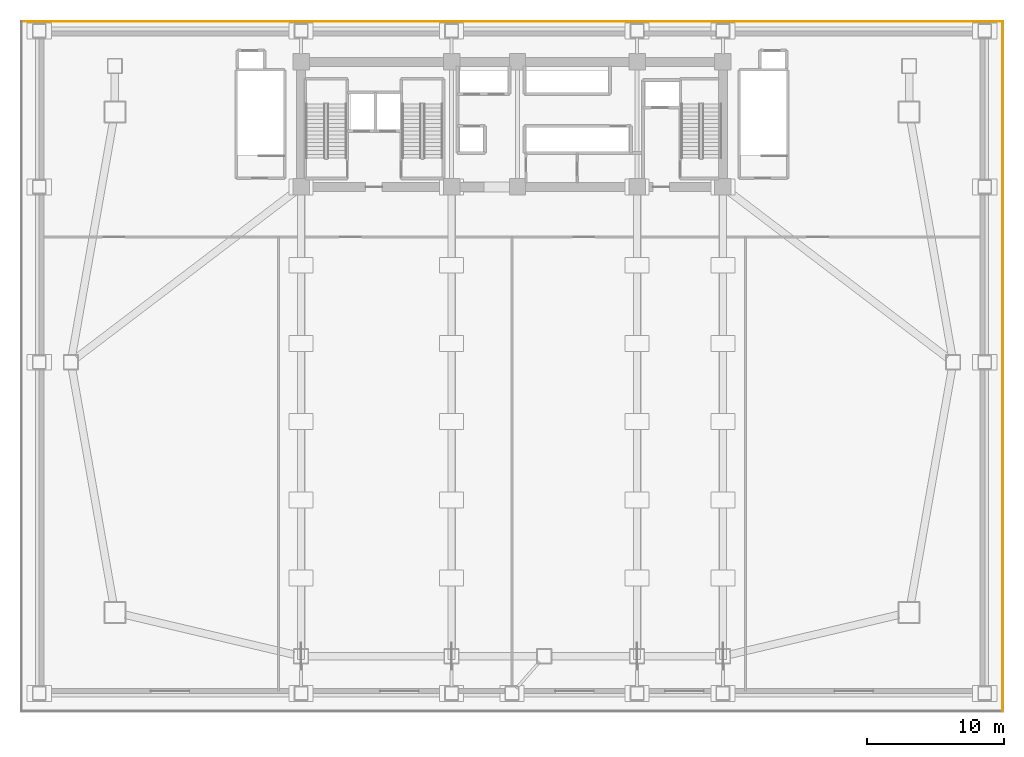
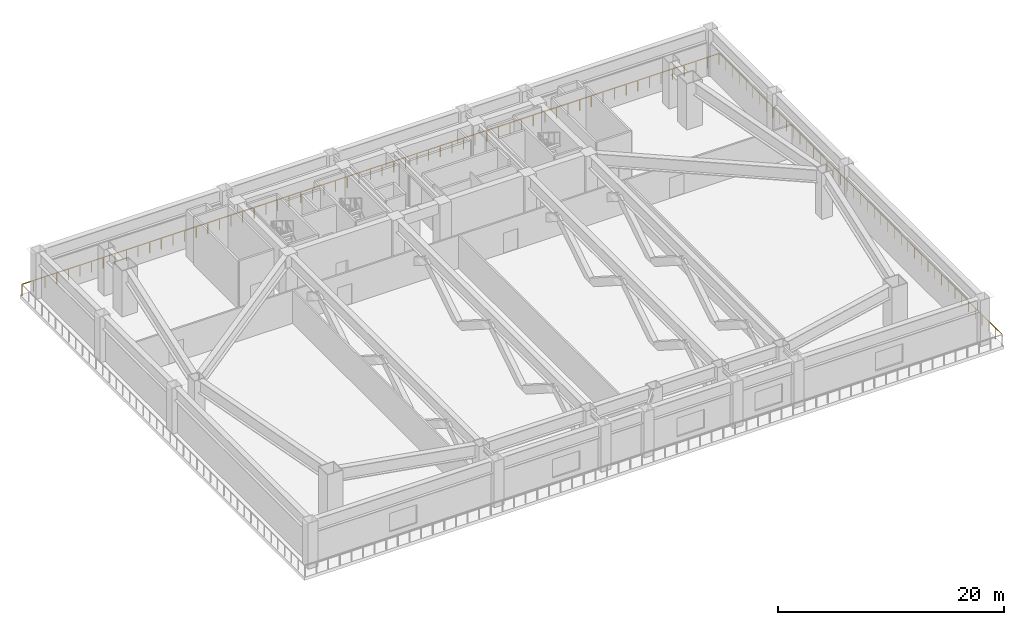
# One storey, part 8 of 8: 2 railings.
"""IFC4 building model written with IfcOpenShell, lengths in metres."""

from ifc_helpers import new_model, si_unit, direction, frame, origin, origin_2d, place, context, subcontext, project, spatial, rectangle, extrude, material, type_object, element, save


model = new_model("IFC4")

# Units and contexts
model_context = context("Model", 3, precision=1e-05, world=origin(), true_north=direction((0.0, 1.0)))
body_context = subcontext(model_context, "Body", "Model", "MODEL_VIEW")
ifc_project = project(units=[si_unit("LENGTHUNIT", "METRE"), si_unit("AREAUNIT", "SQUARE_METRE"), si_unit("VOLUMEUNIT", "CUBIC_METRE"), si_unit("PLANEANGLEUNIT", "RADIAN"), si_unit("MASSUNIT", "GRAM", prefix="KILO")], contexts=[model_context])

# Site, building, storey
site_placement = place(None, origin())
site = spatial("IfcSite", under=ifc_project, at=site_placement, CompositionType="ELEMENT")
building_placement = place(site_placement, origin())
building = spatial("IfcBuilding", under=site, at=building_placement, Name="Giltprow Tower", CompositionType="ELEMENT")
storey_placement = place(building_placement, frame((0.0, 0.0, 20.199951171875)))
storey = spatial("IfcBuildingStorey", under=building, at=storey_placement, Name="L05", CompositionType="ELEMENT", Elevation=20.199951171875)

# Railings
ifc_material = material(Name="Anodized bronze", Category="metal")
railing_type = type_object("IfcRailingType", Name="RAIL-BALC-GUARD-1200", PredefinedType="BALUSTRADE", material=ifc_material)
railing_1_placement = place(storey_placement, frame((70.8798828125, -0.679931640625, 0.0)))
element("IfcRailing", 1, at=railing_1_placement, inside=storey, type_object=railing_type, Name="L05 Podium Perimeter Cornice Balustrade Seg 2", PredefinedType="BALUSTRADE", context=body_context, shape_type="SweptSolid", body=[
    extrude(rectangle(XDim=0.048095703125, YDim=0.048095703125, at=origin_2d()), frame((0.0, 0.0, 1.17578125), z_axis=(0.0, 1.0, 0.0), x_axis=(-1.0, 0.0, 0.0)), (0.0, 0.0, 1.0), 50.159912109375),
    extrude(rectangle(XDim=0.0419921875, YDim=0.0419921875, at=origin_2d()), origin(), (0.0, 0.0, 1.0), 1.15185546875),
    extrude(rectangle(XDim=0.0419921875, YDim=0.0419921875, at=origin_2d()), frame((0.0, 1.1943359375, 0.0)), (0.0, 0.0, 1.0), 1.15185546875),
    extrude(rectangle(XDim=0.0419921875, YDim=0.0419921875, at=origin_2d()), frame((0.0, 2.388671875, 0.0)), (0.0, 0.0, 1.0), 1.15185546875),
    extrude(rectangle(XDim=0.0419921875, YDim=0.0419921875, at=origin_2d()), frame((0.0, 3.582763671875, 0.0)), (0.0, 0.0, 1.0), 1.15185546875),
    extrude(rectangle(XDim=0.0419921875, YDim=0.0419921875, at=origin_2d()), frame((0.0, 4.777099609375, 0.0)), (0.0, 0.0, 1.0), 1.15185546875),
    extrude(rectangle(XDim=0.0419921875, YDim=0.0419921875, at=origin_2d()), frame((0.0, 5.971435546875, 0.0)), (0.0, 0.0, 1.0), 1.15185546875),
    extrude(rectangle(XDim=0.0419921875, YDim=0.0419921875, at=origin_2d()), frame((0.0, 7.165771484375, 0.0)), (0.0, 0.0, 1.0), 1.15185546875),
    extrude(rectangle(XDim=0.0419921875, YDim=0.0419921875, at=origin_2d()), frame((0.0, 8.35986328125, 0.0)), (0.0, 0.0, 1.0), 1.15185546875),
    extrude(rectangle(XDim=0.0419921875, YDim=0.0419921875, at=origin_2d()), frame((0.0, 9.55419921875, 0.0)), (0.0, 0.0, 1.0), 1.15185546875),
    extrude(rectangle(XDim=0.0419921875, YDim=0.0419921875, at=origin_2d()), frame((0.0, 10.74853515625, 0.0)), (0.0, 0.0, 1.0), 1.15185546875),
    extrude(rectangle(XDim=0.0419921875, YDim=0.0419921875, at=origin_2d()), frame((0.0, 11.94287109375, 0.0)), (0.0, 0.0, 1.0), 1.15185546875),
    extrude(rectangle(XDim=0.0419921875, YDim=0.0419921875, at=origin_2d()), frame((0.0, 13.13720703125, 0.0)), (0.0, 0.0, 1.0), 1.15185546875),
    extrude(rectangle(XDim=0.0419921875, YDim=0.0419921875, at=origin_2d()), frame((0.0, 14.331298828125, 0.0)), (0.0, 0.0, 1.0), 1.15185546875),
    extrude(rectangle(XDim=0.0419921875, YDim=0.0419921875, at=origin_2d()), frame((0.0, 15.525634765625, 0.0)), (0.0, 0.0, 1.0), 1.15185546875),
    extrude(rectangle(XDim=0.0419921875, YDim=0.0419921875, at=origin_2d()), frame((0.0, 16.719970703125, 0.0)), (0.0, 0.0, 1.0), 1.15185546875),
    extrude(rectangle(XDim=0.0419921875, YDim=0.0419921875, at=origin_2d()), frame((0.0, 17.914306640625, 0.0)), (0.0, 0.0, 1.0), 1.15185546875),
    extrude(rectangle(XDim=0.0419921875, YDim=0.0419921875, at=origin_2d()), frame((0.0, 19.108642578125, 0.0)), (0.0, 0.0, 1.0), 1.15185546875),
    extrude(rectangle(XDim=0.0419921875, YDim=0.0419921875, at=origin_2d()), frame((0.0, 20.302734375, 0.0)), (0.0, 0.0, 1.0), 1.15185546875),
    extrude(rectangle(XDim=0.0419921875, YDim=0.0419921875, at=origin_2d()), frame((0.0, 21.4970703125, 0.0)), (0.0, 0.0, 1.0), 1.15185546875),
    extrude(rectangle(XDim=0.0419921875, YDim=0.0419921875, at=origin_2d()), frame((0.0, 22.69140625, 0.0)), (0.0, 0.0, 1.0), 1.15185546875),
    extrude(rectangle(XDim=0.0419921875, YDim=0.0419921875, at=origin_2d()), frame((0.0, 23.8857421875, 0.0)), (0.0, 0.0, 1.0), 1.15185546875),
    extrude(rectangle(XDim=0.0419921875, YDim=0.0419921875, at=origin_2d()), frame((0.0, 25.080078125, 0.0)), (0.0, 0.0, 1.0), 1.15185546875),
    extrude(rectangle(XDim=0.0419921875, YDim=0.0419921875, at=origin_2d()), frame((0.0, 26.274169921875, 0.0)), (0.0, 0.0, 1.0), 1.15185546875),
    extrude(rectangle(XDim=0.0419921875, YDim=0.0419921875, at=origin_2d()), frame((0.0, 27.468505859375, 0.0)), (0.0, 0.0, 1.0), 1.15185546875),
    extrude(rectangle(XDim=0.0419921875, YDim=0.0419921875, at=origin_2d()), frame((0.0, 28.662841796875, 0.0)), (0.0, 0.0, 1.0), 1.15185546875),
    extrude(rectangle(XDim=0.0419921875, YDim=0.0419921875, at=origin_2d()), frame((0.0, 29.857177734375, 0.0)), (0.0, 0.0, 1.0), 1.15185546875),
    extrude(rectangle(XDim=0.0419921875, YDim=0.0419921875, at=origin_2d()), frame((0.0, 31.05126953125, 0.0)), (0.0, 0.0, 1.0), 1.15185546875),
    extrude(rectangle(XDim=0.0419921875, YDim=0.0419921875, at=origin_2d()), frame((0.0, 32.24560546875, 0.0)), (0.0, 0.0, 1.0), 1.15185546875),
    extrude(rectangle(XDim=0.0419921875, YDim=0.0419921875, at=origin_2d()), frame((0.0, 33.43994140625, 0.0)), (0.0, 0.0, 1.0), 1.15185546875),
    extrude(rectangle(XDim=0.0419921875, YDim=0.0419921875, at=origin_2d()), frame((0.0, 34.63427734375, 0.0)), (0.0, 0.0, 1.0), 1.15185546875),
    extrude(rectangle(XDim=0.0419921875, YDim=0.0419921875, at=origin_2d()), frame((0.0, 35.82861328125, 0.0)), (0.0, 0.0, 1.0), 1.15185546875),
    extrude(rectangle(XDim=0.0419921875, YDim=0.0419921875, at=origin_2d()), frame((0.0, 37.022705078125, 0.0)), (0.0, 0.0, 1.0), 1.15185546875),
    extrude(rectangle(XDim=0.0419921875, YDim=0.0419921875, at=origin_2d()), frame((0.0, 38.217041015625, 0.0)), (0.0, 0.0, 1.0), 1.15185546875),
    extrude(rectangle(XDim=0.0419921875, YDim=0.0419921875, at=origin_2d()), frame((0.0, 39.411376953125, 0.0)), (0.0, 0.0, 1.0), 1.15185546875),
    extrude(rectangle(XDim=0.0419921875, YDim=0.0419921875, at=origin_2d()), frame((0.0, 40.605712890625, 0.0)), (0.0, 0.0, 1.0), 1.15185546875),
    extrude(rectangle(XDim=0.0419921875, YDim=0.0419921875, at=origin_2d()), frame((0.0, 41.7998046875, 0.0)), (0.0, 0.0, 1.0), 1.15185546875),
    extrude(rectangle(XDim=0.0419921875, YDim=0.0419921875, at=origin_2d()), frame((0.0, 42.994140625, 0.0)), (0.0, 0.0, 1.0), 1.15185546875),
    extrude(rectangle(XDim=0.0419921875, YDim=0.0419921875, at=origin_2d()), frame((0.0, 44.1884765625, 0.0)), (0.0, 0.0, 1.0), 1.15185546875),
    extrude(rectangle(XDim=0.0419921875, YDim=0.0419921875, at=origin_2d()), frame((0.0, 45.3828125, 0.0)), (0.0, 0.0, 1.0), 1.15185546875),
    extrude(rectangle(XDim=0.0419921875, YDim=0.0419921875, at=origin_2d()), frame((0.0, 46.5771484375, 0.0)), (0.0, 0.0, 1.0), 1.15185546875),
    extrude(rectangle(XDim=0.0419921875, YDim=0.0419921875, at=origin_2d()), frame((0.0, 47.771240234375, 0.0)), (0.0, 0.0, 1.0), 1.15185546875),
    extrude(rectangle(XDim=0.0419921875, YDim=0.0419921875, at=origin_2d()), frame((0.0, 48.965576171875, 0.0)), (0.0, 0.0, 1.0), 1.15185546875),
    extrude(rectangle(XDim=0.0419921875, YDim=0.0419921875, at=origin_2d()), frame((0.0, 50.159912109375, 0.0)), (0.0, 0.0, 1.0), 1.15185546875),
])
railing_2_placement = place(storey_placement, frame((70.8798828125, 49.47998046875, 0.0)))
element("IfcRailing", 2, at=railing_2_placement, inside=storey, type_object=railing_type, Name="L05 Podium Perimeter Cornice Balustrade Seg 3", PredefinedType="BALUSTRADE", context=body_context, shape_type="SweptSolid", body=[
    extrude(rectangle(XDim=0.048095703125, YDim=0.048095703125, at=origin_2d()), frame((0.0, 0.0, 1.17578125), z_axis=(-1.0, 0.0, 0.0), x_axis=(0.0, -1.0, 0.0)), (0.0, 0.0, 1.0), 71.35986328125),
    extrude(rectangle(XDim=0.0419921875, YDim=0.0419921875, at=origin_2d()), origin(), (0.0, 0.0, 1.0), 1.15185546875),
    extrude(rectangle(XDim=0.0419921875, YDim=0.0419921875, at=origin_2d()), frame((-1.189453125, 0.0, 0.0)), (0.0, 0.0, 1.0), 1.15185546875),
    extrude(rectangle(XDim=0.0419921875, YDim=0.0419921875, at=origin_2d()), frame((-2.378662109375, 0.0, 0.0)), (0.0, 0.0, 1.0), 1.15185546875),
    extrude(rectangle(XDim=0.0419921875, YDim=0.0419921875, at=origin_2d()), frame((-3.56787109375, 0.0, 0.0)), (0.0, 0.0, 1.0), 1.15185546875),
    extrude(rectangle(XDim=0.0419921875, YDim=0.0419921875, at=origin_2d()), frame((-4.75732421875, 0.0, 0.0)), (0.0, 0.0, 1.0), 1.15185546875),
    extrude(rectangle(XDim=0.0419921875, YDim=0.0419921875, at=origin_2d()), frame((-5.94677734375, 0.0, 0.0)), (0.0, 0.0, 1.0), 1.15185546875),
    extrude(rectangle(XDim=0.0419921875, YDim=0.0419921875, at=origin_2d()), frame((-7.135986328125, 0.0, 0.0)), (0.0, 0.0, 1.0), 1.15185546875),
    extrude(rectangle(XDim=0.0419921875, YDim=0.0419921875, at=origin_2d()), frame((-8.3251953125, 0.0, 0.0)), (0.0, 0.0, 1.0), 1.15185546875),
    extrude(rectangle(XDim=0.0419921875, YDim=0.0419921875, at=origin_2d()), frame((-9.5146484375, 0.0, 0.0)), (0.0, 0.0, 1.0), 1.15185546875),
    extrude(rectangle(XDim=0.0419921875, YDim=0.0419921875, at=origin_2d()), frame((-10.7041015625, 0.0, 0.0)), (0.0, 0.0, 1.0), 1.15185546875),
    extrude(rectangle(XDim=0.0419921875, YDim=0.0419921875, at=origin_2d()), frame((-11.893310546875, 0.0, 0.0)), (0.0, 0.0, 1.0), 1.15185546875),
    extrude(rectangle(XDim=0.0419921875, YDim=0.0419921875, at=origin_2d()), frame((-13.08251953125, 0.0, 0.0)), (0.0, 0.0, 1.0), 1.15185546875),
    extrude(rectangle(XDim=0.0419921875, YDim=0.0419921875, at=origin_2d()), frame((-14.27197265625, 0.0, 0.0)), (0.0, 0.0, 1.0), 1.15185546875),
    extrude(rectangle(XDim=0.0419921875, YDim=0.0419921875, at=origin_2d()), frame((-15.46142578125, 0.0, 0.0)), (0.0, 0.0, 1.0), 1.15185546875),
    extrude(rectangle(XDim=0.0419921875, YDim=0.0419921875, at=origin_2d()), frame((-16.650634765625, 0.0, 0.0)), (0.0, 0.0, 1.0), 1.15185546875),
    extrude(rectangle(XDim=0.0419921875, YDim=0.0419921875, at=origin_2d()), frame((-17.83984375, 0.0, 0.0)), (0.0, 0.0, 1.0), 1.15185546875),
    extrude(rectangle(XDim=0.0419921875, YDim=0.0419921875, at=origin_2d()), frame((-19.029296875, 0.0, 0.0)), (0.0, 0.0, 1.0), 1.15185546875),
    extrude(rectangle(XDim=0.0419921875, YDim=0.0419921875, at=origin_2d()), frame((-20.21875, 0.0, 0.0)), (0.0, 0.0, 1.0), 1.15185546875),
    extrude(rectangle(XDim=0.0419921875, YDim=0.0419921875, at=origin_2d()), frame((-21.407958984375, 0.0, 0.0)), (0.0, 0.0, 1.0), 1.15185546875),
    extrude(rectangle(XDim=0.0419921875, YDim=0.0419921875, at=origin_2d()), frame((-22.59716796875, 0.0, 0.0)), (0.0, 0.0, 1.0), 1.15185546875),
    extrude(rectangle(XDim=0.0419921875, YDim=0.0419921875, at=origin_2d()), frame((-23.78662109375, 0.0, 0.0)), (0.0, 0.0, 1.0), 1.15185546875),
    extrude(rectangle(XDim=0.0419921875, YDim=0.0419921875, at=origin_2d()), frame((-24.97607421875, 0.0, 0.0)), (0.0, 0.0, 1.0), 1.15185546875),
    extrude(rectangle(XDim=0.0419921875, YDim=0.0419921875, at=origin_2d()), frame((-26.165283203125, 0.0, 0.0)), (0.0, 0.0, 1.0), 1.15185546875),
    extrude(rectangle(XDim=0.0419921875, YDim=0.0419921875, at=origin_2d()), frame((-27.354736328125, 0.0, 0.0)), (0.0, 0.0, 1.0), 1.15185546875),
    extrude(rectangle(XDim=0.0419921875, YDim=0.0419921875, at=origin_2d()), frame((-28.5439453125, 0.0, 0.0)), (0.0, 0.0, 1.0), 1.15185546875),
    extrude(rectangle(XDim=0.0419921875, YDim=0.0419921875, at=origin_2d()), frame((-29.7333984375, 0.0, 0.0)), (0.0, 0.0, 1.0), 1.15185546875),
    extrude(rectangle(XDim=0.0419921875, YDim=0.0419921875, at=origin_2d()), frame((-30.922607421875, 0.0, 0.0)), (0.0, 0.0, 1.0), 1.15185546875),
    extrude(rectangle(XDim=0.0419921875, YDim=0.0419921875, at=origin_2d()), frame((-32.11181640625, 0.0, 0.0)), (0.0, 0.0, 1.0), 1.15185546875),
    extrude(rectangle(XDim=0.0419921875, YDim=0.0419921875, at=origin_2d()), frame((-33.30126953125, 0.0, 0.0)), (0.0, 0.0, 1.0), 1.15185546875),
    extrude(rectangle(XDim=0.0419921875, YDim=0.0419921875, at=origin_2d()), frame((-34.49072265625, 0.0, 0.0)), (0.0, 0.0, 1.0), 1.15185546875),
    extrude(rectangle(XDim=0.0419921875, YDim=0.0419921875, at=origin_2d()), frame((-35.679931640625, 0.0, 0.0)), (0.0, 0.0, 1.0), 1.15185546875),
    extrude(rectangle(XDim=0.0419921875, YDim=0.0419921875, at=origin_2d()), frame((-36.869384765625, 0.0, 0.0)), (0.0, 0.0, 1.0), 1.15185546875),
    extrude(rectangle(XDim=0.0419921875, YDim=0.0419921875, at=origin_2d()), frame((-38.05859375, 0.0, 0.0)), (0.0, 0.0, 1.0), 1.15185546875),
    extrude(rectangle(XDim=0.0419921875, YDim=0.0419921875, at=origin_2d()), frame((-39.248046875, 0.0, 0.0)), (0.0, 0.0, 1.0), 1.15185546875),
    extrude(rectangle(XDim=0.0419921875, YDim=0.0419921875, at=origin_2d()), frame((-40.437255859375, 0.0, 0.0)), (0.0, 0.0, 1.0), 1.15185546875),
    extrude(rectangle(XDim=0.0419921875, YDim=0.0419921875, at=origin_2d()), frame((-41.62646484375, 0.0, 0.0)), (0.0, 0.0, 1.0), 1.15185546875),
    extrude(rectangle(XDim=0.0419921875, YDim=0.0419921875, at=origin_2d()), frame((-42.81591796875, 0.0, 0.0)), (0.0, 0.0, 1.0), 1.15185546875),
    extrude(rectangle(XDim=0.0419921875, YDim=0.0419921875, at=origin_2d()), frame((-44.00537109375, 0.0, 0.0)), (0.0, 0.0, 1.0), 1.15185546875),
    extrude(rectangle(XDim=0.0419921875, YDim=0.0419921875, at=origin_2d()), frame((-45.194580078125, 0.0, 0.0)), (0.0, 0.0, 1.0), 1.15185546875),
    extrude(rectangle(XDim=0.0419921875, YDim=0.0419921875, at=origin_2d()), frame((-46.3837890625, 0.0, 0.0)), (0.0, 0.0, 1.0), 1.15185546875),
    extrude(rectangle(XDim=0.0419921875, YDim=0.0419921875, at=origin_2d()), frame((-47.5732421875, 0.0, 0.0)), (0.0, 0.0, 1.0), 1.15185546875),
    extrude(rectangle(XDim=0.0419921875, YDim=0.0419921875, at=origin_2d()), frame((-48.7626953125, 0.0, 0.0)), (0.0, 0.0, 1.0), 1.15185546875),
    extrude(rectangle(XDim=0.0419921875, YDim=0.0419921875, at=origin_2d()), frame((-49.951904296875, 0.0, 0.0)), (0.0, 0.0, 1.0), 1.15185546875),
    extrude(rectangle(XDim=0.0419921875, YDim=0.0419921875, at=origin_2d()), frame((-51.14111328125, 0.0, 0.0)), (0.0, 0.0, 1.0), 1.15185546875),
    extrude(rectangle(XDim=0.0419921875, YDim=0.0419921875, at=origin_2d()), frame((-52.33056640625, 0.0, 0.0)), (0.0, 0.0, 1.0), 1.15185546875),
    extrude(rectangle(XDim=0.0419921875, YDim=0.0419921875, at=origin_2d()), frame((-53.52001953125, 0.0, 0.0)), (0.0, 0.0, 1.0), 1.15185546875),
    extrude(rectangle(XDim=0.0419921875, YDim=0.0419921875, at=origin_2d()), frame((-54.709228515625, 0.0, 0.0)), (0.0, 0.0, 1.0), 1.15185546875),
    extrude(rectangle(XDim=0.0419921875, YDim=0.0419921875, at=origin_2d()), frame((-55.8984375, 0.0, 0.0)), (0.0, 0.0, 1.0), 1.15185546875),
    extrude(rectangle(XDim=0.0419921875, YDim=0.0419921875, at=origin_2d()), frame((-57.087890625, 0.0, 0.0)), (0.0, 0.0, 1.0), 1.15185546875),
    extrude(rectangle(XDim=0.0419921875, YDim=0.0419921875, at=origin_2d()), frame((-58.27734375, 0.0, 0.0)), (0.0, 0.0, 1.0), 1.15185546875),
    extrude(rectangle(XDim=0.0419921875, YDim=0.0419921875, at=origin_2d()), frame((-59.466552734375, 0.0, 0.0)), (0.0, 0.0, 1.0), 1.15185546875),
    extrude(rectangle(XDim=0.0419921875, YDim=0.0419921875, at=origin_2d()), frame((-60.65576171875, 0.0, 0.0)), (0.0, 0.0, 1.0), 1.15185546875),
    extrude(rectangle(XDim=0.0419921875, YDim=0.0419921875, at=origin_2d()), frame((-61.84521484375, 0.0, 0.0)), (0.0, 0.0, 1.0), 1.15185546875),
    extrude(rectangle(XDim=0.0419921875, YDim=0.0419921875, at=origin_2d()), frame((-63.03466796875, 0.0, 0.0)), (0.0, 0.0, 1.0), 1.15185546875),
    extrude(rectangle(XDim=0.0419921875, YDim=0.0419921875, at=origin_2d()), frame((-64.223876953125, 0.0, 0.0)), (0.0, 0.0, 1.0), 1.15185546875),
    extrude(rectangle(XDim=0.0419921875, YDim=0.0419921875, at=origin_2d()), frame((-65.4130859375, 0.0, 0.0)), (0.0, 0.0, 1.0), 1.15185546875),
    extrude(rectangle(XDim=0.0419921875, YDim=0.0419921875, at=origin_2d()), frame((-66.6025390625, 0.0, 0.0)), (0.0, 0.0, 1.0), 1.15185546875),
    extrude(rectangle(XDim=0.0419921875, YDim=0.0419921875, at=origin_2d()), frame((-67.7919921875, 0.0, 0.0)), (0.0, 0.0, 1.0), 1.15185546875),
    extrude(rectangle(XDim=0.0419921875, YDim=0.0419921875, at=origin_2d()), frame((-68.981201171875, 0.0, 0.0)), (0.0, 0.0, 1.0), 1.15185546875),
    extrude(rectangle(XDim=0.0419921875, YDim=0.0419921875, at=origin_2d()), frame((-70.17041015625, 0.0, 0.0)), (0.0, 0.0, 1.0), 1.15185546875),
    extrude(rectangle(XDim=0.0419921875, YDim=0.0419921875, at=origin_2d()), frame((-71.35986328125, 0.0, 0.0)), (0.0, 0.0, 1.0), 1.15185546875),
])

save(model, "model.ifc")
